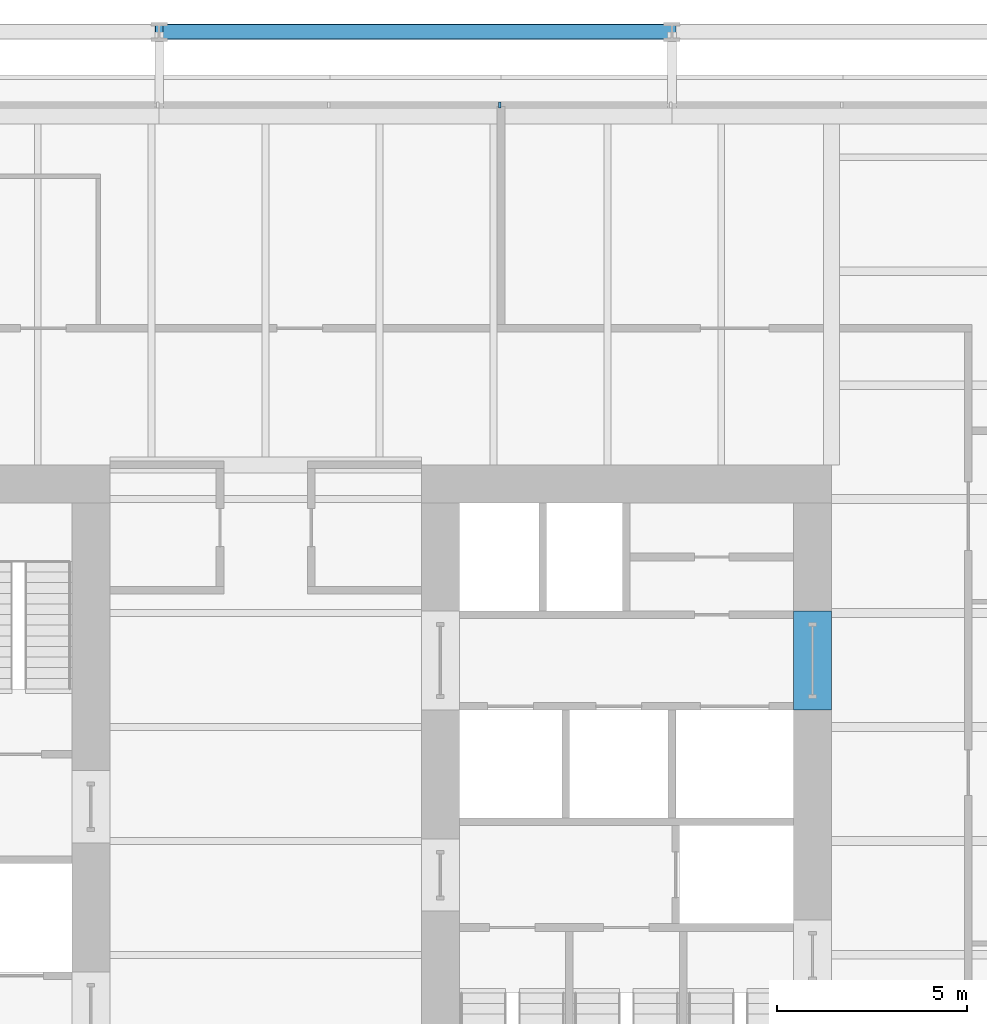
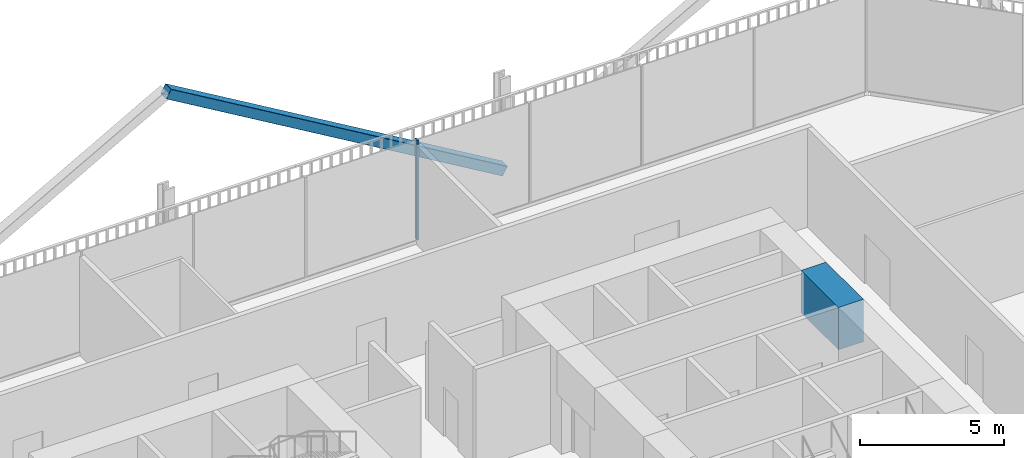
# One storey, part 14 of 21: 2 members, 1 beam, 1 element without a shape of its own.
"""IFC4 building model written with IfcOpenShell, lengths in metres."""

from ifc_helpers import new_model, si_unit, direction, frame, origin, origin_2d, place, context, subcontext, project, spatial, rectangle, hollow_rectangle, extrude, material, layer, layer_set, material_profile, profile_set, type_object, element, aggregate, save


model = new_model("IFC4")

# Units and contexts
model_context = context("Model", 3, precision=1e-05, world=origin(), true_north=direction((0.0, 1.0)))
body_context = subcontext(model_context, "Body", "Model", "MODEL_VIEW")
ifc_project = project(units=[si_unit("LENGTHUNIT", "METRE"), si_unit("AREAUNIT", "SQUARE_METRE"), si_unit("VOLUMEUNIT", "CUBIC_METRE"), si_unit("PLANEANGLEUNIT", "RADIAN"), si_unit("MASSUNIT", "GRAM", prefix="KILO")], contexts=[model_context])

# Site, building, storey
site_placement = place(None, origin())
site = spatial("IfcSite", under=ifc_project, at=site_placement, CompositionType="ELEMENT")
building_placement = place(site_placement, origin())
building = spatial("IfcBuilding", under=site, at=building_placement, Name="Millrace Tower", CompositionType="ELEMENT")
storey_placement = place(building_placement, frame((0.0, 0.0, 95.199951171875)))
storey = spatial("IfcBuildingStorey", under=building, at=storey_placement, Name="L21", CompositionType="ELEMENT", Elevation=95.199951171875)

# Curtain wall, member
ifc_material_1 = material(Name="Aluminium and glass", Category="aluminium")
ifc_layer = layer(ifc_material_1, 0.14990234375)
ifc_layer_set = layer_set([ifc_layer], Name="Aluminium and glass")
curtain_wall_type = type_object("IfcCurtainWallType", Name="CW-3 telecom floor curtain wall", PredefinedType="NOTDEFINED", material=ifc_layer_set)
curtain_wall_placement = place(storey_placement, origin())
curtain_wall = element("IfcCurtainWall", 1, at=curtain_wall_placement, inside=storey, type_object=curtain_wall_type, Name="Curtain wall B-F06 L21", PredefinedType="NOTDEFINED")
ifc_material_2 = material(Name="Aluminium", Category="aluminium")
ifc_material_profile_1 = material_profile(ifc_material_2, rectangle(XDim=0.06494140625, YDim=0.14990234375, at=origin_2d()))
ifc_profile_set_1 = profile_set([ifc_material_profile_1], Name="Aluminium")
member_type_1 = type_object("IfcMemberType", Name="CW-3 telecom floor curtain wall mullion", PredefinedType="MULLION", material=ifc_profile_set_1)
member_1_placement = place(storey_placement, frame((6.16748046875, 19.375, 0.150146484375), z_axis=(0.0, 0.0, 1.0), x_axis=(-1.0, 0.0, 0.0)))
member_1 = element("IfcMember", 2, at=member_1_placement, type_object=member_type_1, Name="CW3 mullion B-F06.5", PredefinedType="MULLION", context=body_context, shape_type="SweptSolid", body=[
    extrude(rectangle(XDim=0.06494140625, YDim=0.14990234375, at=origin_2d()), origin(), (0.0, 0.0, 1.0), 4.25),
])
aggregate(curtain_wall, [member_1])

# Beam
ifc_material_3 = material(Name="Concrete C80", Category="concrete")
ifc_material_profile_2 = material_profile(ifc_material_3, rectangle(XDim=1.0, YDim=1.800048828125, at=origin_2d()))
ifc_profile_set_2 = profile_set([ifc_material_profile_2], Name="Concrete C80")
beam_type = type_object("IfcBeamType", Name="Coupling beam 1000 x 1800 Concrete C80, 2000 opening", PredefinedType="BEAM", material=ifc_profile_set_2)
beam_placement = place(storey_placement, frame((14.39990234375, 6.050048828125, 3.300048828125), z_axis=(0.0, -1.0, 0.0), x_axis=(1.0, 0.0, 0.0)))
element("IfcBeam", 3, at=beam_placement, inside=storey, type_object=beam_type, Name="Coupling beam E L21", PredefinedType="BEAM", context=body_context, shape_type="SweptSolid", body=[
    extrude(rectangle(XDim=1.0, YDim=1.800048828125, at=origin_2d()), origin(), (0.0, 0.0, 1.0), 2.60009765625),
])

# Member
ifc_material_4 = material(Name="Steel ASTM A500 Grade C", Category="steel")
ifc_material_profile_3 = material_profile(ifc_material_4, hollow_rectangle(XDim=0.406494140625, YDim=0.406494140625, WallThickness=0.0126953125, InnerFilletRadius=0.00634765625, OuterFilletRadius=0.01904296875, at=origin_2d()))
ifc_profile_set_3 = profile_set([ifc_material_profile_3], Name="Steel ASTM A500 Grade C")
member_type_2 = type_object("IfcMemberType", Name="Exoskeleton brace HSS16x16x1/2", PredefinedType="BRACE", material=ifc_profile_set_3)
member_2_placement = place(storey_placement, frame((10.699951171875, 21.300048828125, 0.400146484375), z_axis=(-0.860291533634, 0.0, 0.509802390302), x_axis=(0.0, -1.0, 0.0)))
element("IfcMember", 4, at=member_2_placement, inside=storey, type_object=member_type_2, Name="BRC-B-L21-11", PredefinedType="BRACE", context=body_context, shape_type="SweptSolid", body=[
    extrude(hollow_rectangle(XDim=0.406494140625, YDim=0.406494140625, WallThickness=0.0126953125, InnerFilletRadius=0.00634765625, OuterFilletRadius=0.01904296875, at=origin_2d()), origin(), (0.0, 0.0, 1.0), 15.6923828125),
])

save(model, "model.ifc")
